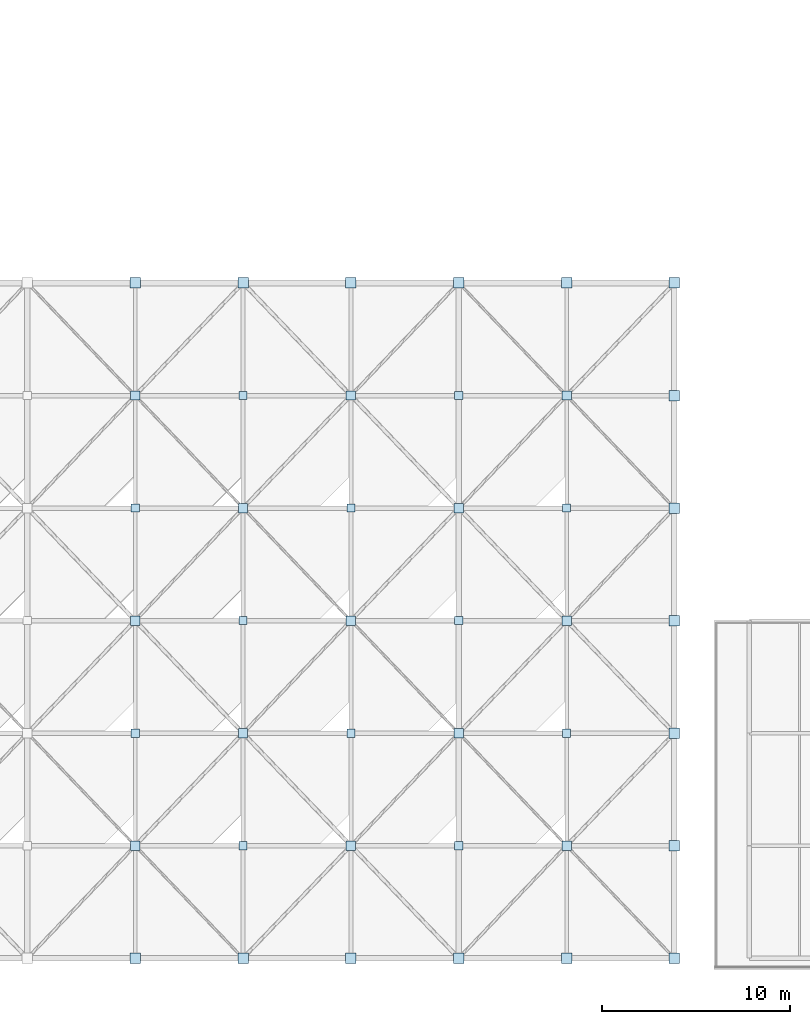
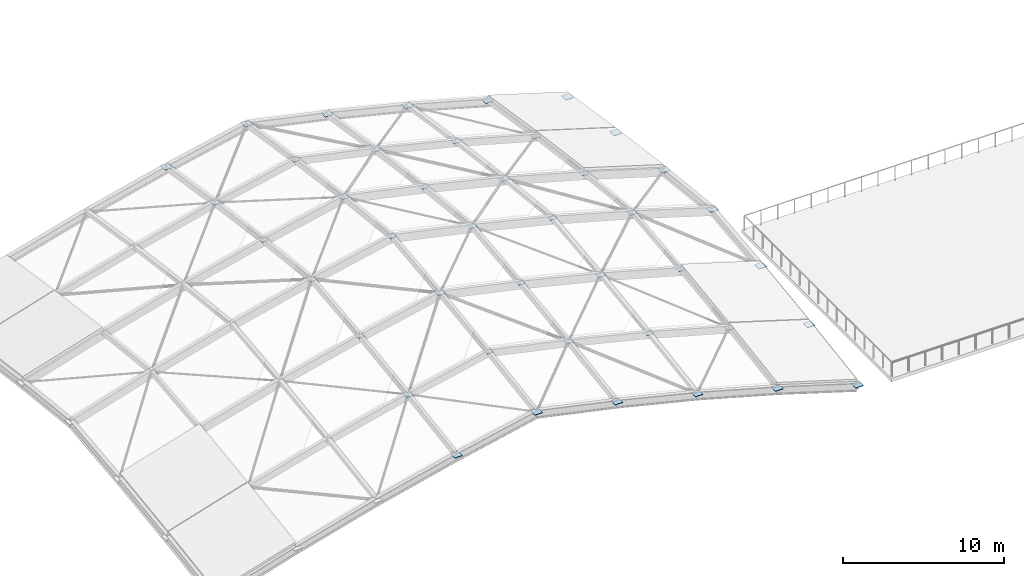
# One storey, part 39 of 62: 42 plates.
"""IFC4 building model written with IfcOpenShell, lengths in metres."""

import ifcopenshell
import ifcopenshell.guid

model = None  # the IFC model being written
_history = None  # IfcOwnerHistory: only IFC2X3 demands one
_inside = {}  # id of a spatial element -> (the spatial element, [elements in it])
_under = {}  # id of a project, library or spatial element -> (it, [spatial elements below it])
_declared = {}  # id of a project -> (the project, [libraries it declares])
_typed = {}  # id of a type object -> (the type object, [elements of that type])
_made_of = {}  # id of a material, layer set ... -> (it, [elements and type objects made of it])


def new_model(schema):
    """Start an empty IFC model of exactly this schema.

    Asked for "IFC4X3", IfcOpenShell would pick the latest addendum, in which some entities
    have other attributes; the version numbers below select the first issue.
    IFC2X3 requires an IfcOwnerHistory on every rooted entity: one is made here for all.
    """
    global model, _history
    if schema == "IFC4X3":
        model = ifcopenshell.file(schema_version=(4, 3, 0, 0))
    else:
        model = ifcopenshell.file(schema=schema)
    _inside.clear()
    _under.clear()
    _declared.clear()
    _typed.clear()
    _made_of.clear()
    _history = None
    if model.schema == "IFC2X3":
        org = make("IfcOrganization", Name="unknown")
        user = make(
            "IfcPersonAndOrganization",
            ThePerson=make("IfcPerson", FamilyName="unknown"),
            TheOrganization=org,
        )
        app = make(
            "IfcApplication",
            ApplicationDeveloper=org,
            Version="unknown",
            ApplicationFullName="unknown",
            ApplicationIdentifier="unknown",
        )
        _history = make(
            "IfcOwnerHistory",
            OwningUser=user,
            OwningApplication=app,
            ChangeAction="ADDED",
            CreationDate=0,
        )
    return model


def make(cls, **values):
    """One entity of the class cls with the attributes given. An attribute that is None is left unset."""
    return model.create_entity(
        cls, **{name: value for name, value in values.items() if value is not None}
    )


def rooted(cls, **values):
    """An entity with a GlobalId (a new one), such as an element, a storey or a relation."""
    return make(cls, GlobalId=ifcopenshell.guid.new(), OwnerHistory=_history, **values)


def si_unit(unit_type, name, prefix=None):
    """IfcSIUnit, for example si_unit("LENGTHUNIT", "METRE", prefix="MILLI")."""
    return make("IfcSIUnit", UnitType=unit_type, Prefix=prefix, Name=name)


def assignment(units):
    """IfcUnitAssignment: the units of a project."""
    return None if units is None else make("IfcUnitAssignment", Units=units)


def point(xyz):
    """IfcCartesianPoint."""
    return None if xyz is None else make("IfcCartesianPoint", Coordinates=xyz)


def direction(xyz):
    """IfcDirection."""
    return None if xyz is None else make("IfcDirection", DirectionRatios=xyz)


def frame(location, z_axis=None, x_axis=None):
    """IfcAxis2Placement3D, a coordinate frame: its origin and axes. An axis left out is left unset."""
    return make(
        "IfcAxis2Placement3D",
        Location=point(location),
        Axis=direction(z_axis),
        RefDirection=direction(x_axis),
    )


def frame_2d(location, x_axis=None):
    """IfcAxis2Placement2D, a coordinate frame in the plane: its origin and x axis."""
    return make(
        "IfcAxis2Placement2D", Location=point(location), RefDirection=direction(x_axis)
    )


def origin():
    """The frame at (0, 0, 0) with its axes left unset."""
    return frame((0.0, 0.0, 0.0))


def origin_2d():
    """The frame at (0, 0) in the plane with its x axis left unset."""
    return frame_2d((0.0, 0.0))


def place(relative_to, where):
    """IfcLocalPlacement: puts the frame where relative to a parent placement (None: the world)."""
    return make(
        "IfcLocalPlacement", PlacementRelTo=relative_to, RelativePlacement=where
    )


def context(
    kind, dimensions, precision=None, world=None, true_north=None, identifier=None
):
    """IfcGeometricRepresentationContext, for example the 3D "Model" context."""
    return make(
        "IfcGeometricRepresentationContext",
        ContextIdentifier=identifier,
        ContextType=kind,
        CoordinateSpaceDimension=dimensions,
        Precision=precision,
        WorldCoordinateSystem=world,
        TrueNorth=true_north,
    )


def subcontext(parent, identifier, kind, view, scale=None):
    """IfcGeometricRepresentationSubContext, for example "Body" below "Model"."""
    return make(
        "IfcGeometricRepresentationSubContext",
        ContextIdentifier=identifier,
        ContextType=kind,
        ParentContext=parent,
        TargetScale=scale,
        TargetView=view,
    )


def project(units=None, contexts=None):
    """IfcProject with its units and contexts."""
    return rooted(
        "IfcProject",
        Name="project",
        RepresentationContexts=contexts,
        UnitsInContext=assignment(units),
    )


def spatial(cls, under=None, at=None, **own):
    """A site, building, storey or space (cls), placed at a placement, below another one or the project."""
    s = rooted(cls, ObjectPlacement=at, **own)
    if under is not None:
        _under.setdefault(under.id(), (under, []))[1].append(s)
    return s


def profile(cls, at=None, kind="AREA", **sizes):
    """A parametric profile (cls). Its sizes go by their IFC names, for example OverallWidth=200.0."""
    return make(cls, ProfileType=kind, Position=at, **sizes)


def rectangle(**sizes):
    """IfcRectangleProfileDef."""
    return profile("IfcRectangleProfileDef", **sizes)


def extrude(swept, where, along, depth):
    """IfcExtrudedAreaSolid: the profile swept, set in the frame where, extruded along a direction by depth."""
    return make(
        "IfcExtrudedAreaSolid",
        SweptArea=swept,
        Position=where,
        ExtrudedDirection=direction(along),
        Depth=depth,
    )


def shape(context_of_items, identifier, shape_type, items):
    """IfcShapeRepresentation: the items that make up one representation, for example the "Body"."""
    return make(
        "IfcShapeRepresentation",
        ContextOfItems=context_of_items,
        RepresentationIdentifier=identifier,
        RepresentationType=shape_type,
        Items=items,
    )


def material(Name=None, Category=None):
    """IfcMaterial."""
    return make("IfcMaterial", Name=Name, Category=Category)


def layer(
    of_material, thickness, ventilated=None, Name=None, Category=None, Priority=None
):
    """IfcMaterialLayer: one layer of a wall or slab, of a material (None: an air gap)."""
    return make(
        "IfcMaterialLayer",
        Material=of_material,
        LayerThickness=thickness,
        IsVentilated=ventilated,
        Name=Name,
        Category=Category,
        Priority=Priority,
    )


def layer_set(layers, Name=None):
    """IfcMaterialLayerSet."""
    return make("IfcMaterialLayerSet", MaterialLayers=layers, LayerSetName=Name)


def made_of(thing, what):
    """Note that an element or type object is made of a material, layer set ...; save() writes the relation."""
    if what is not None:
        _made_of.setdefault(what.id(), (what, []))[1].append(thing)
    return thing


def type_object(cls, material=None, **own):
    """A type object (cls), such as IfcWallType, which elements share."""
    return made_of(rooted(cls, **own), material)


def element(
    cls,
    number,
    at=None,
    inside=None,
    cuts=None,
    type_object=None,
    material=None,
    context=None,
    identifier="Body",
    shape_type=None,
    held_by="IfcProductDefinitionShape",
    body=None,
    shapes=None,
    **own,
):
    """One element of the class cls, such as IfcWall. Its Tag is "e" and its number.

    at: its placement. inside: the storey or other place that contains it. cuts: it is an
    opening in that element (IfcRelVoidsElement). A single representation is given by context,
    identifier, shape_type and body (its items); several are given by shapes. held_by: the class
    of the entity that holds the representations. save() writes the other relations.
    """
    e = rooted(cls, Tag="e%d" % number, ObjectPlacement=at, **own)
    if body is not None:
        shapes = [shape(context, identifier, shape_type, body)]
    if shapes is not None:
        e.Representation = make(held_by, Representations=shapes)
    if inside is not None:
        _inside.setdefault(inside.id(), (inside, []))[1].append(e)
    if cuts is not None:
        rooted(
            "IfcRelVoidsElement", RelatingBuildingElement=cuts, RelatedOpeningElement=e
        )
    if type_object is not None:
        _typed.setdefault(type_object.id(), (type_object, []))[1].append(e)
    return made_of(e, material)


def aggregate(whole, parts):
    """IfcRelAggregates: a whole, such as a stair, and the parts it consists of."""
    return rooted("IfcRelAggregates", RelatingObject=whole, RelatedObjects=parts)


def save(model, path):
    """Write the relations noted so far, then the file.

    IfcRelAggregates (storeys below a building ...), IfcRelContainedInSpatialStructure (elements
    in a storey), IfcRelDefinesByType, IfcRelAssociatesMaterial and IfcRelDeclares: one each for
    every whole, place, type object, material and project.
    """
    for whole, parts in _under.values():
        aggregate(whole, parts)
    for where, things in _inside.values():
        rooted(
            "IfcRelContainedInSpatialStructure",
            RelatedElements=things,
            RelatingStructure=where,
        )
    for kind, things in _typed.values():
        rooted("IfcRelDefinesByType", RelatedObjects=things, RelatingType=kind)
    for what, things in _made_of.values():
        rooted("IfcRelAssociatesMaterial", RelatedObjects=things, RelatingMaterial=what)
    for by, libraries in _declared.values():
        rooted("IfcRelDeclares", RelatingContext=by, RelatedDefinitions=libraries)
    model.write(path)


model = new_model("IFC4")

# Units and contexts
model_context = context("Model", 3, precision=1e-05, world=origin(), true_north=direction((0.0, 1.0)))
body_context = subcontext(model_context, "Body", "Model", "MODEL_VIEW")
ifc_project = project(units=[si_unit("LENGTHUNIT", "METRE"), si_unit("AREAUNIT", "SQUARE_METRE"), si_unit("VOLUMEUNIT", "CUBIC_METRE"), si_unit("PLANEANGLEUNIT", "RADIAN"), si_unit("MASSUNIT", "GRAM", prefix="KILO")], contexts=[model_context])

# Site, building, storey
site_placement = place(None, origin())
site = spatial("IfcSite", under=ifc_project, at=site_placement, CompositionType="ELEMENT")
building_placement = place(site_placement, origin())
building = spatial("IfcBuilding", under=site, at=building_placement, Name="Cymarion Research Institute", CompositionType="ELEMENT")
storey_placement = place(building_placement, frame((0.0, 0.0, 18.300048828125)))
storey = spatial("IfcBuildingStorey", under=building, at=storey_placement, Name="L04", CompositionType="ELEMENT", Elevation=18.300048828125)

# Plates
ifc_material = material(Name="Steel S355", Category="steel")
ifc_layer_1 = layer(ifc_material, 0.02392578125)
ifc_layer_set_1 = layer_set([ifc_layer_1], Name="Steel S355")
plate_type_1 = type_object("IfcPlateType", Name="STEEL NODE GUSSET PLATE NP01 24MM", PredefinedType="USERDEFINED", material=ifc_layer_set_1)
for number, where, z_axis, x_axis, name in (
    (1, (73.85009765625, 17.5, 6.385986328125), (0.0, 0.0, 1.0), (1.0, 0.0, 0.0), "Gridshell bolted steel node gusset plate NP01 N4-3"),
    (2, (73.85009765625, 29.5, 6.385986328125), (0.0, 0.0, 1.0), (1.0, 0.0, 0.0), "Gridshell bolted steel node gusset plate NP01 N4-5"),
    (3, (79.60009765625, 11.5, 6.81591796875), (0.0, 0.0, 1.0), (1.0, 0.0, 0.0), "Gridshell bolted steel node gusset plate NP01 N5-2"),
    (4, (79.60009765625, 23.5, 8.285888671875), (0.0, 0.0, 1.0), (1.0, 0.0, 0.0), "Gridshell bolted steel node gusset plate NP01 N5-4"),
    (5, (79.60009765625, 35.5, 6.81591796875), (0.0, 0.0, 1.0), (1.0, 0.0, 0.0), "Gridshell bolted steel node gusset plate NP01 N5-6"),
    (6, (85.35009765625, 17.5, 6.385986328125), (0.0, 0.0, 1.0), (1.0, 0.0, 0.0), "Gridshell bolted steel node gusset plate NP01 N6-3"),
    (7, (85.35009765625, 29.5, 6.385986328125), (0.0, 0.0, 1.0), (1.0, 0.0, 0.0), "Gridshell bolted steel node gusset plate NP01 N6-5"),
    (8, (91.10009765625, 11.5, 4.176025390625), (0.0, 0.0, 1.0), (1.0, 0.0, 0.0), "Gridshell bolted steel node gusset plate NP01 N7-2"),
    (9, (91.10009765625, 23.5, 5.64599609375), (0.0, 0.0, 1.0), (1.0, 0.0, 0.0), "Gridshell bolted steel node gusset plate NP01 N7-4"),
    (10, (91.10009765625, 35.5, 4.176025390625), (0.0, 0.0, 1.0), (1.0, 0.0, 0.0), "Gridshell bolted steel node gusset plate NP01 N7-6"),
    (11, (96.85009765625, 17.5, 3.385986328125), (0.0, 0.0, 1.0), (1.0, 0.0, 0.0), "Gridshell bolted steel node gusset plate NP01 N8-3"),
    (12, (96.85009765625, 29.5, 3.385986328125), (0.0, 0.0, 1.0), (1.0, 0.0, 0.0), "Gridshell bolted steel node gusset plate NP01 N8-5"),
):
    element("IfcPlate", number, at=place(storey_placement, frame(where, z_axis=z_axis, x_axis=x_axis)), inside=storey, type_object=plate_type_1, Name=name, ObjectType="GUSSET PLATE", PredefinedType="USERDEFINED", context=body_context, shape_type="SweptSolid", body=[
        extrude(rectangle(XDim=0.43994140625, YDim=0.43994140625, at=origin_2d()), origin(), (0.0, 0.0, 1.0), 0.02392578125),
    ])
ifc_layer_2 = layer(ifc_material, 0.030029296875)
ifc_layer_set_2 = layer_set([ifc_layer_2], Name="Steel S355")
plate_type_2 = type_object("IfcPlateType", Name="STEEL NODE GUSSET PLATE NP02 30MM", PredefinedType="USERDEFINED", material=ifc_layer_set_2)
for number, where, z_axis, x_axis, name in (
    (13, (73.85009765625, 11.5, 5.57275390625), (0.0, 0.0, 1.0), (1.0, 0.0, 0.0), "Gridshell bolted steel node gusset plate NP02 N4-2"),
    (14, (73.85009765625, 23.5, 7.04296875), (0.0, 0.0, 1.0), (1.0, 0.0, 0.0), "Gridshell bolted steel node gusset plate NP02 N4-4"),
    (15, (73.85009765625, 35.5, 5.57275390625), (0.0, 0.0, 1.0), (1.0, 0.0, 0.0), "Gridshell bolted steel node gusset plate NP02 N4-6"),
    (16, (79.60009765625, 17.5, 7.623046875), (0.0, 0.0, 1.0), (1.0, 0.0, 0.0), "Gridshell bolted steel node gusset plate NP02 N5-3"),
    (17, (79.60009765625, 29.5, 7.623046875), (0.0, 0.0, 1.0), (1.0, 0.0, 0.0), "Gridshell bolted steel node gusset plate NP02 N5-5"),
    (18, (85.35009765625, 11.5, 5.57275390625), (0.0, 0.0, 1.0), (1.0, 0.0, 0.0), "Gridshell bolted steel node gusset plate NP02 N6-2"),
    (19, (85.35009765625, 23.5, 7.04296875), (0.0, 0.0, 1.0), (1.0, 0.0, 0.0), "Gridshell bolted steel node gusset plate NP02 N6-4"),
    (20, (85.35009765625, 35.5, 5.57275390625), (0.0, 0.0, 1.0), (1.0, 0.0, 0.0), "Gridshell bolted steel node gusset plate NP02 N6-6"),
    (21, (91.10009765625, 17.5, 4.98291015625), (0.0, 0.0, 1.0), (1.0, 0.0, 0.0), "Gridshell bolted steel node gusset plate NP02 N7-3"),
    (22, (91.10009765625, 29.5, 4.98291015625), (0.0, 0.0, 1.0), (1.0, 0.0, 0.0), "Gridshell bolted steel node gusset plate NP02 N7-5"),
    (23, (96.85009765625, 11.5, 2.57275390625), (0.0, 0.0, 1.0), (1.0, 0.0, 0.0), "Gridshell bolted steel node gusset plate NP02 N8-2"),
    (24, (96.85009765625, 23.5, 4.04296875), (0.0, 0.0, 1.0), (1.0, 0.0, 0.0), "Gridshell bolted steel node gusset plate NP02 N8-4"),
    (25, (96.85009765625, 35.5, 2.57275390625), (0.0, 0.0, 1.0), (1.0, 0.0, 0.0), "Gridshell bolted steel node gusset plate NP02 N8-6"),
):
    element("IfcPlate", number, at=place(storey_placement, frame(where, z_axis=z_axis, x_axis=x_axis)), inside=storey, type_object=plate_type_2, Name=name, ObjectType="GUSSET PLATE", PredefinedType="USERDEFINED", context=body_context, shape_type="SweptSolid", body=[
        extrude(rectangle(XDim=0.5, YDim=0.5, at=origin_2d()), origin(), (0.0, 0.0, 1.0), 0.030029296875),
    ])
ifc_layer_3 = layer(ifc_material, 0.035888671875)
ifc_layer_set_3 = layer_set([ifc_layer_3], Name="Steel S355")
plate_type_3 = type_object("IfcPlateType", Name="STEEL NODE GUSSET PLATE NP03 36MM", PredefinedType="USERDEFINED", material=ifc_layer_set_3)
for number, where, z_axis, x_axis, name in (
    (26, (73.85009765625, 5.5, 4.64013671875), (0.0, 0.0, 1.0), (1.0, 0.0, 0.0), "Gridshell bolted steel node gusset plate NP03 N4-1"),
    (27, (73.85009765625, 41.5, 4.64013671875), (0.0, 0.0, 1.0), (1.0, 0.0, 0.0), "Gridshell bolted steel node gusset plate NP03 N4-7"),
    (28, (79.60009765625, 5.5, 5.8798828125), (0.0, 0.0, 1.0), (1.0, 0.0, 0.0), "Gridshell bolted steel node gusset plate NP03 N5-1"),
    (29, (79.60009765625, 41.5, 5.8798828125), (0.0, 0.0, 1.0), (1.0, 0.0, 0.0), "Gridshell bolted steel node gusset plate NP03 N5-7"),
    (30, (85.35009765625, 5.5, 4.64013671875), (0.0, 0.0, 1.0), (1.0, 0.0, 0.0), "Gridshell bolted steel node gusset plate NP03 N6-1"),
    (31, (85.35009765625, 41.5, 4.64013671875), (0.0, 0.0, 1.0), (1.0, 0.0, 0.0), "Gridshell bolted steel node gusset plate NP03 N6-7"),
    (32, (91.10009765625, 5.5, 3.240234375), (0.0, 0.0, 1.0), (1.0, 0.0, 0.0), "Gridshell bolted steel node gusset plate NP03 N7-1"),
    (33, (91.10009765625, 41.5, 3.240234375), (0.0, 0.0, 1.0), (1.0, 0.0, 0.0), "Gridshell bolted steel node gusset plate NP03 N7-7"),
    (34, (96.85009765625, 5.5, 1.64013671875), (0.0, 0.0, 1.0), (1.0, 0.0, 0.0), "Gridshell bolted steel node gusset plate NP03 N8-1"),
    (35, (96.85009765625, 41.5, 1.64013671875), (0.0, 0.0, 1.0), (1.0, 0.0, 0.0), "Gridshell bolted steel node gusset plate NP03 N8-7"),
    (36, (102.60009765625, 5.5, -0.1201171875), (0.0, 0.0, 1.0), (1.0, 0.0, 0.0), "Gridshell bolted steel node gusset plate NP03 N9-1"),
    (37, (102.60009765625, 11.5, 0.81005859375), (0.0, 0.0, 1.0), (1.0, 0.0, 0.0), "Gridshell bolted steel node gusset plate NP03 N9-2"),
    (38, (102.60009765625, 17.5, 1.6201171875), (0.0, 0.0, 1.0), (1.0, 0.0, 0.0), "Gridshell bolted steel node gusset plate NP03 N9-3"),
    (39, (102.60009765625, 23.5, 2.27978515625), (0.0, 0.0, 1.0), (1.0, 0.0, 0.0), "Gridshell bolted steel node gusset plate NP03 N9-4"),
    (40, (102.60009765625, 29.5, 1.6201171875), (0.0, 0.0, 1.0), (1.0, 0.0, 0.0), "Gridshell bolted steel node gusset plate NP03 N9-5"),
    (41, (102.60009765625, 35.5, 0.81005859375), (0.0, 0.0, 1.0), (1.0, 0.0, 0.0), "Gridshell bolted steel node gusset plate NP03 N9-6"),
    (42, (102.60009765625, 41.5, -0.1201171875), (0.0, 0.0, 1.0), (1.0, 0.0, 0.0), "Gridshell bolted steel node gusset plate NP03 N9-7"),
):
    element("IfcPlate", number, at=place(storey_placement, frame(where, z_axis=z_axis, x_axis=x_axis)), inside=storey, type_object=plate_type_3, Name=name, ObjectType="GUSSET PLATE", PredefinedType="USERDEFINED", context=body_context, shape_type="SweptSolid", body=[
        extrude(rectangle(XDim=0.56005859375, YDim=0.56005859375, at=origin_2d()), origin(), (0.0, 0.0, 1.0), 0.035888671875),
    ])

save(model, "model.ifc")
